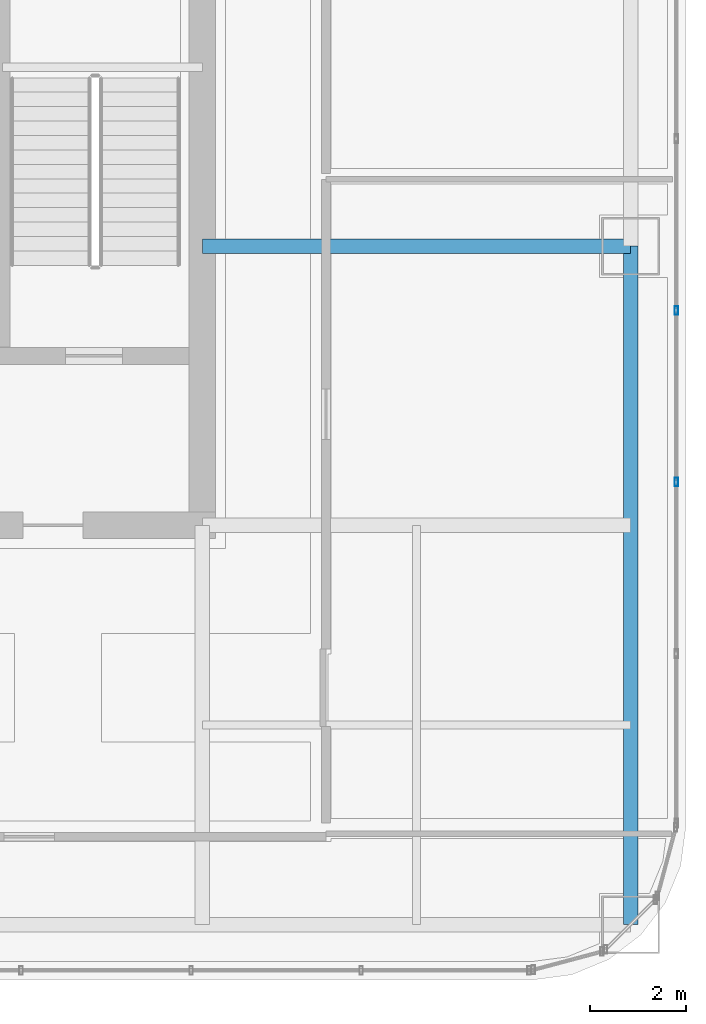
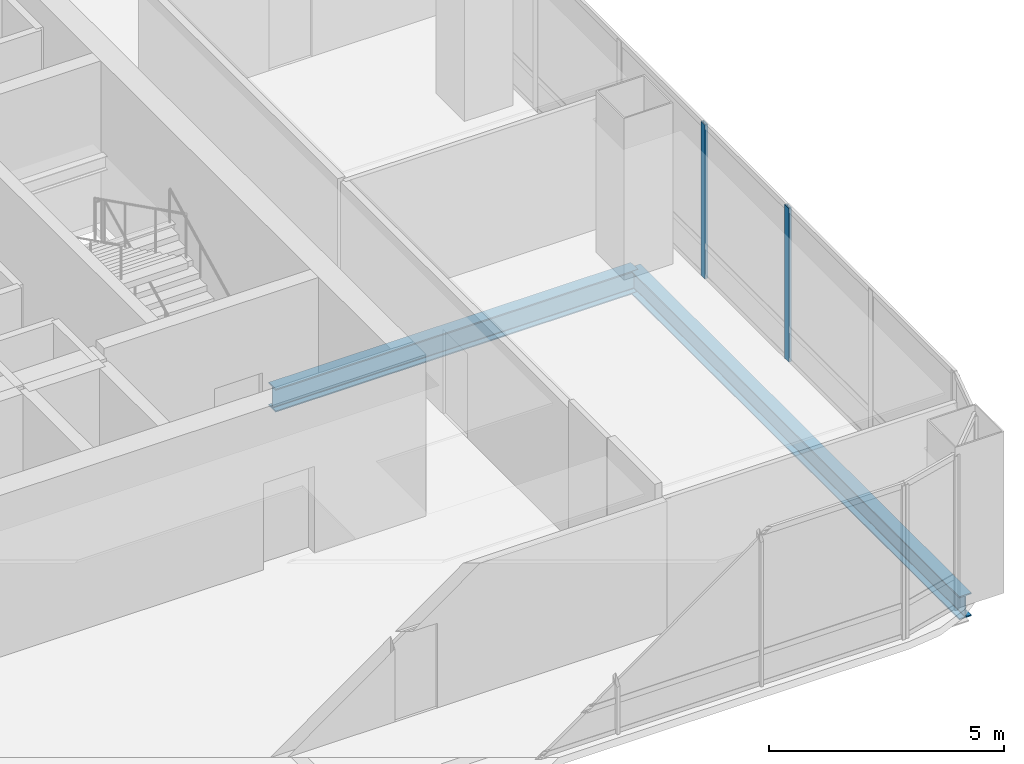
# One storey, part 17 of 41: 2 beams, 2 members, 1 element without a shape of its own.
"""IFC4 building model written with IfcOpenShell, lengths in metres."""

from ifc_helpers import new_model, si_unit, direction, frame, origin, origin_2d, place, context, subcontext, project, spatial, hollow_rectangle, i_section, extrude, material, material_profile, profile_set, type_object, element, aggregate, save


model = new_model("IFC4")

# Units and contexts
model_context = context("Model", 3, precision=1e-05, world=origin(), true_north=direction((0.0, 1.0)))
body_context = subcontext(model_context, "Body", "Model", "MODEL_VIEW")
ifc_project = project(units=[si_unit("LENGTHUNIT", "METRE"), si_unit("AREAUNIT", "SQUARE_METRE"), si_unit("VOLUMEUNIT", "CUBIC_METRE"), si_unit("PLANEANGLEUNIT", "RADIAN"), si_unit("MASSUNIT", "GRAM", prefix="KILO")], contexts=[model_context])

# Site, building, storey
site_placement = place(None, origin())
site = spatial("IfcSite", under=ifc_project, at=site_placement, CompositionType="ELEMENT")
building_placement = place(site_placement, origin())
building = spatial("IfcBuilding", under=site, at=building_placement, Name="Punatoya Terracotta Tower", CompositionType="ELEMENT")
storey_placement = place(building_placement, frame((0.0, 0.0, 288.0)))
storey = spatial("IfcBuildingStorey", under=building, at=storey_placement, Name="L68", CompositionType="ELEMENT", Elevation=288.0)

# Beams
ifc_material_1 = material(Name="Steel S355", Category="steel")
ifc_material_profile_1 = material_profile(ifc_material_1, i_section(OverallWidth=0.300048828125, OverallDepth=0.60009765625, WebThickness=0.015380859375, FlangeThickness=0.030029296875, FilletRadius=0.01806640625, at=origin_2d()))
ifc_profile_set_1 = profile_set([ifc_material_profile_1], Name="Steel S355")
beam_type = type_object("IfcBeamType", Name="BM-PRI-600", PredefinedType="BEAM", material=ifc_profile_set_1)
beam_1_placement = place(storey_placement, frame((19.10009765625, -17.5, -0.5), z_axis=(0.0, 1.0, 0.0), x_axis=(-1.0, 0.0, 0.0)))
element("IfcBeam", 1, at=beam_1_placement, inside=storey, type_object=beam_type, Name="BM-L68-RG-E1", PredefinedType="BEAM", context=body_context, shape_type="SweptSolid", body=[
    extrude(i_section(OverallWidth=0.300048828125, OverallDepth=0.60009765625, WebThickness=0.015380859375, FlangeThickness=0.030029296875, FilletRadius=0.01806640625, at=origin_2d()), origin(), (0.0, 0.0, 1.0), 14.10009765625),
])
beam_2_placement = place(storey_placement, frame((10.199951171875, -3.39990234375, -0.5), z_axis=(1.0, 0.0, 0.0), x_axis=(0.0, 1.0, 0.0)))
element("IfcBeam", 2, at=beam_2_placement, inside=storey, type_object=beam_type, Name="BM-L68-PR-ED", PredefinedType="BEAM", context=body_context, shape_type="SweptSolid", body=[
    extrude(i_section(OverallWidth=0.300048828125, OverallDepth=0.60009765625, WebThickness=0.015380859375, FlangeThickness=0.030029296875, FilletRadius=0.01806640625, at=origin_2d()), origin(), (0.0, 0.0, 1.0), 8.900146484375),
])

# Curtain wall, members
ifc_material_2 = material(Name="Aluminium 6063-T6 + Double Low-E Glass", Category="aluminium")
curtain_wall_type = type_object("IfcCurtainWallType", Name="CW-M3", PredefinedType="NOTDEFINED", material=ifc_material_2)
curtain_wall_placement = place(storey_placement, origin())
curtain_wall = element("IfcCurtainWall", 3, at=curtain_wall_placement, inside=storey, type_object=curtain_wall_type, Name="L68 Curtain Wall CW-L68-E05-1", PredefinedType="NOTDEFINED")
ifc_material_3 = material(Name="Aluminium 6063-T6", Category="aluminium")
ifc_material_profile_2 = material_profile(ifc_material_3, hollow_rectangle(XDim=0.070068359375, YDim=0.179931640625, WallThickness=0.00390625, at=origin_2d()))
ifc_profile_set_2 = profile_set([ifc_material_profile_2], Name="Aluminium 6063-T6")
member_type = type_object("IfcMemberType", Name="CW-MUL-M3", PredefinedType="MULLION", material=ifc_profile_set_2)
member_1_placement = place(storey_placement, frame((20.050048828125, -8.302001953125, 0.0), z_axis=(0.0, 0.0, 1.0), x_axis=(1.0, 0.0, 0.0)))
member_1 = element("IfcMember", 4, at=member_1_placement, type_object=member_type, Name="CW-L68-E05-1 Mullion 02", PredefinedType="MULLION", context=body_context, shape_type="SweptSolid", body=[
    extrude(hollow_rectangle(XDim=0.070068359375, YDim=0.179931640625, WallThickness=0.00390625, at=origin_2d()), origin(), (0.0, 0.0, 1.0), 4.0),
])
member_2_placement = place(storey_placement, frame((20.050048828125, -4.73486328125, 0.0), z_axis=(0.0, 0.0, 1.0), x_axis=(1.0, 0.0, 0.0)))
member_2 = element("IfcMember", 5, at=member_2_placement, type_object=member_type, Name="CW-L68-E05-1 Mullion 03", PredefinedType="MULLION", context=body_context, shape_type="SweptSolid", body=[
    extrude(hollow_rectangle(XDim=0.070068359375, YDim=0.179931640625, WallThickness=0.00390625, at=origin_2d()), origin(), (0.0, 0.0, 1.0), 4.0),
])
aggregate(curtain_wall, [member_1, member_2])

save(model, "model.ifc")
